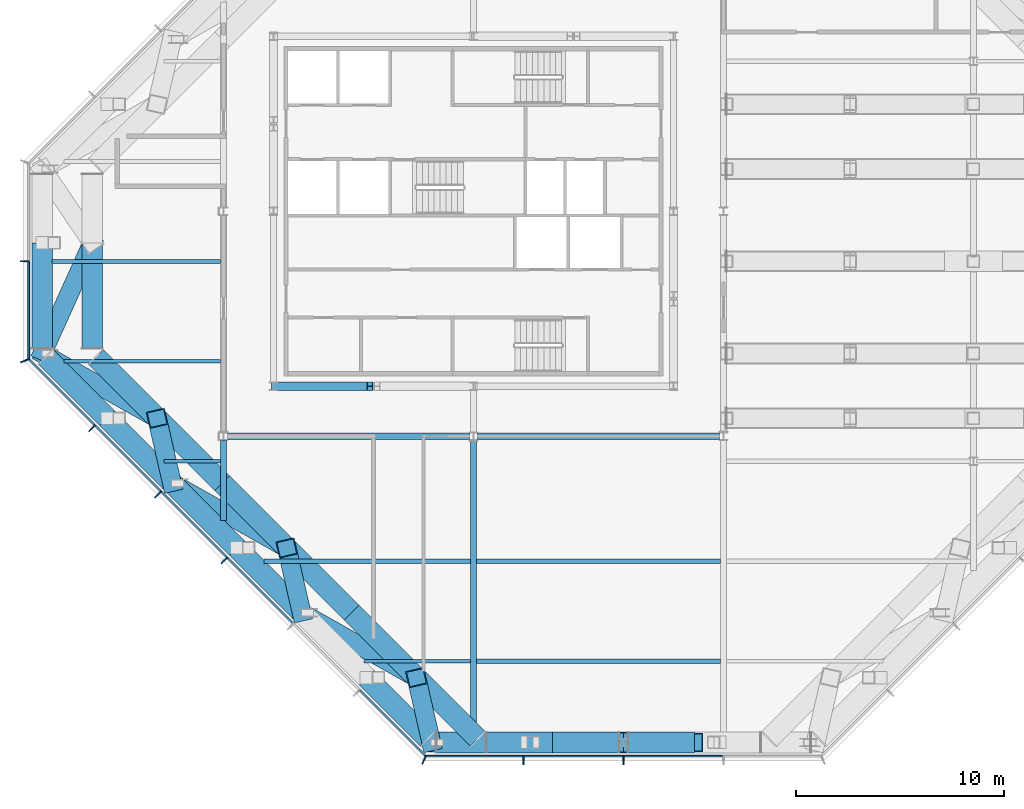
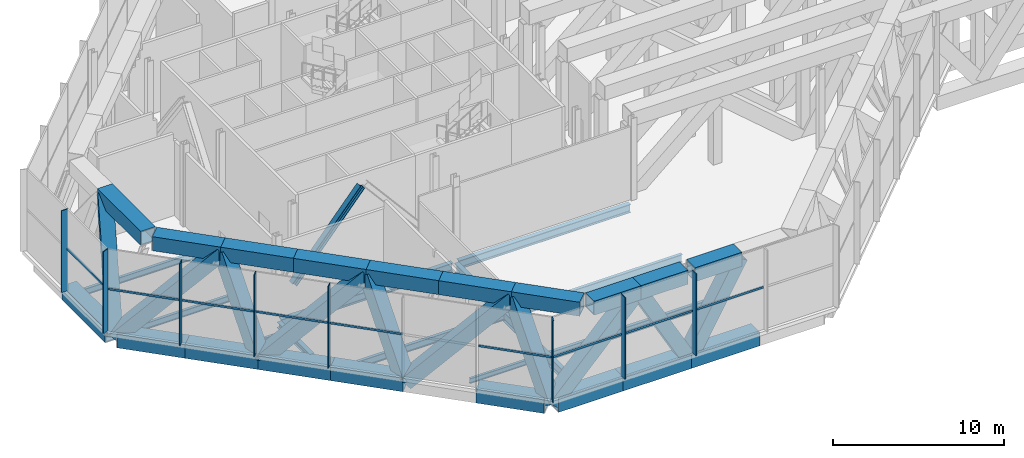
# One storey, part 4 of 18: 40 beams, 18 members, 3 elements without a shape of their own.
"""IFC4 building model written with IfcOpenShell, lengths in metres."""

from ifc_helpers import new_model, si_unit, direction, frame, origin, origin_2d, place, context, subcontext, project, spatial, rectangle, hollow_rectangle, i_section, extrude, material, material_profile, profile_set, type_object, element, aggregate, save


model = new_model("IFC4")

# Units and contexts
model_context = context("Model", 3, precision=1e-05, world=origin(), true_north=direction((0.0, 1.0)))
body_context = subcontext(model_context, "Body", "Model", "MODEL_VIEW")
ifc_project = project(units=[si_unit("LENGTHUNIT", "METRE"), si_unit("AREAUNIT", "SQUARE_METRE"), si_unit("VOLUMEUNIT", "CUBIC_METRE"), si_unit("PLANEANGLEUNIT", "RADIAN"), si_unit("MASSUNIT", "GRAM", prefix="KILO")], contexts=[model_context])

# Site, building, storey
site_placement = place(None, origin())
site = spatial("IfcSite", under=ifc_project, at=site_placement, CompositionType="ELEMENT")
building_placement = place(site_placement, origin())
building = spatial("IfcBuilding", under=site, at=building_placement, Name="Cairn Pilgrim Tower", CompositionType="ELEMENT")
storey_placement = place(building_placement, frame((0.0, 0.0, 261.0)))
storey = spatial("IfcBuildingStorey", under=building, at=storey_placement, Name="L67", CompositionType="ELEMENT", Elevation=261.0)

# Beams
ifc_material_1 = material(Name="Structural steel S460M", Category="steel")
ifc_material_profile_1 = material_profile(ifc_material_1, hollow_rectangle(XDim=1.0, YDim=1.0, WallThickness=0.06005859375, at=origin_2d()), Name="BOX 1000x1000x60")
ifc_profile_set_1 = profile_set([ifc_material_profile_1], Name="Structural steel S460M")
beam_type_1 = type_object("IfcBeamType", Name="BOX 1000x1000x60 CHORD", PredefinedType="USERDEFINED", material=ifc_profile_set_1)
beam_1_placement = place(storey_placement, frame((5.429931640625, -23.10009765625, -0.75), z_axis=(1.0, 0.0, 0.0), x_axis=(0.0, 1.0, 0.0)))
element("IfcBeam", 1, at=beam_1_placement, inside=storey, type_object=beam_type_1, Name="BT67-S-BC1", ObjectType="CHORD", PredefinedType="USERDEFINED", context=body_context, shape_type="SweptSolid", body=[
    extrude(hollow_rectangle(XDim=1.0, YDim=1.0, WallThickness=0.06005859375, at=origin_2d()), origin(), (0.0, 0.0, 1.0), 4.3564453125),
])
beam_2_placement = place(storey_placement, frame((7.829833984375, -23.10009765625, 5.35009765625), z_axis=(1.0, 0.0, 0.0), x_axis=(0.0, 1.0, 0.0)))
element("IfcBeam", 2, at=beam_2_placement, inside=storey, type_object=beam_type_1, Name="BT67-S-TC1", ObjectType="CHORD", PredefinedType="USERDEFINED", context=body_context, shape_type="SweptSolid", body=[
    extrude(hollow_rectangle(XDim=1.0, YDim=1.0, WallThickness=0.06005859375, at=origin_2d()), origin(), (0.0, 0.0, 1.0), 3.156494140625),
])
beam_3_placement = place(storey_placement, frame((9.786376953125, -23.10009765625, -0.75), z_axis=(1.0, 0.0, 0.0), x_axis=(0.0, 1.0, 0.0)))
element("IfcBeam", 3, at=beam_3_placement, inside=storey, type_object=beam_type_1, Name="BT67-S-BC2", ObjectType="CHORD", PredefinedType="USERDEFINED", context=body_context, shape_type="SweptSolid", body=[
    extrude(hollow_rectangle(XDim=1.0, YDim=1.0, WallThickness=0.06005859375, at=origin_2d()), origin(), (0.0, 0.0, 1.0), 4.613525390625),
])
beam_4_placement = place(storey_placement, frame((10.986328125, -23.10009765625, 5.35009765625), z_axis=(1.0, 0.0, 0.0), x_axis=(0.0, 1.0, 0.0)))
element("IfcBeam", 4, at=beam_4_placement, inside=storey, type_object=beam_type_1, Name="BT67-S-TC2", ObjectType="CHORD", PredefinedType="USERDEFINED", context=body_context, shape_type="SweptSolid", body=[
    extrude(hollow_rectangle(XDim=1.0, YDim=1.0, WallThickness=0.06005859375, at=origin_2d()), origin(), (0.0, 0.0, 1.0), 3.174072265625),
])
beam_5_placement = place(storey_placement, frame((14.39990234375, -23.10009765625, -0.75), z_axis=(1.0, 0.0, 0.0), x_axis=(0.0, 1.0, 0.0)))
element("IfcBeam", 5, at=beam_5_placement, inside=storey, type_object=beam_type_1, Name="BT67-S-BC3", ObjectType="CHORD", PredefinedType="USERDEFINED", context=body_context, shape_type="SweptSolid", body=[
    extrude(hollow_rectangle(XDim=1.0, YDim=1.0, WallThickness=0.06005859375, at=origin_2d()), origin(), (0.0, 0.0, 1.0), 4.61376953125),
])
beam_6_placement = place(storey_placement, frame((14.639404296875, -23.10009765625, 5.35009765625), z_axis=(1.0, 0.0, 0.0), x_axis=(0.0, 1.0, 0.0)))
element("IfcBeam", 6, at=beam_6_placement, inside=storey, type_object=beam_type_1, Name="BT67-S-TC3", ObjectType="CHORD", PredefinedType="USERDEFINED", context=body_context, shape_type="SweptSolid", body=[
    extrude(hollow_rectangle(XDim=1.0, YDim=1.0, WallThickness=0.06005859375, at=origin_2d()), origin(), (0.0, 0.0, 1.0), 3.17431640625),
])
for number, where, z_axis, x_axis, name in (
    (7, (-13.5, 0.885498046875, -0.75), (0.0, -1.0, 0.0), (1.0, 0.0, 0.0), "BT67-W-BC2"),
    (8, (-11.10009765625, 0.885498046875, 5.35009765625), (0.0, -1.0, 0.0), (1.0, 0.0, 0.0), "BT67-W-TC2"),
):
    element("IfcBeam", number, at=place(storey_placement, frame(where, z_axis=z_axis, x_axis=x_axis)), inside=storey, type_object=beam_type_1, Name=name, ObjectType="CHORD", PredefinedType="USERDEFINED", context=body_context, shape_type="SweptSolid", body=[
        extrude(hollow_rectangle(XDim=1.0, YDim=1.0, WallThickness=0.06005859375, at=origin_2d()), origin(), (0.0, 0.0, 1.0), 5.0556640625),
    ])
beam_7_placement = place(storey_placement, frame((-13.318115234375, -4.60888671875, -0.75), z_axis=(0.707077323927, -0.707136237219, 0.0), x_axis=(0.707136237219, 0.707077323927, 0.0)))
element("IfcBeam", 9, at=beam_7_placement, inside=storey, type_object=beam_type_1, Name="BT67-SW-BC1", ObjectType="CHORD", PredefinedType="USERDEFINED", context=body_context, shape_type="SweptSolid", body=[
    extrude(hollow_rectangle(XDim=1.0, YDim=1.0, WallThickness=0.06005859375, at=origin_2d()), origin(), (0.0, 0.0, 1.0), 4.14404296875),
])
beam_8_placement = place(storey_placement, frame((-10.918212890625, -4.60888671875, 5.35009765625), z_axis=(0.707106781187, -0.707106781187, 0.0), x_axis=(0.707106781187, 0.707106781187, 0.0)))
element("IfcBeam", 10, at=beam_8_placement, inside=storey, type_object=beam_type_1, Name="BT67-SW-TC1", ObjectType="CHORD", PredefinedType="USERDEFINED", context=body_context, shape_type="SweptSolid", body=[
    extrude(hollow_rectangle(XDim=1.0, YDim=1.0, WallThickness=0.06005859375, at=origin_2d()), origin(), (0.0, 0.0, 1.0), 4.144287109375),
])
for number, where, z_axis, x_axis, name in (
    (11, (-10.387939453125, -7.539306640625, -0.75), (0.707106781187, -0.707106781187, 0.0), (0.707106781187, 0.707106781187, 0.0), "BT67-SW-BC2"),
    (12, (-7.98779296875, -7.539306640625, 5.35009765625), (0.707079045527, -0.707134515759, 0.0), (0.707134515759, 0.707079045527, 0.0), "BT67-SW-TC2"),
):
    element("IfcBeam", number, at=place(storey_placement, frame(where, z_axis=z_axis, x_axis=x_axis)), inside=storey, type_object=beam_type_1, Name=name, ObjectType="CHORD", PredefinedType="USERDEFINED", context=body_context, shape_type="SweptSolid", body=[
        extrude(hollow_rectangle(XDim=1.0, YDim=1.0, WallThickness=0.06005859375, at=origin_2d()), origin(), (0.0, 0.0, 1.0), 4.4013671875),
    ])
for number, where, z_axis, x_axis, name in (
    (13, (-7.275634765625, -10.651611328125, -0.75), (0.707106781187, -0.707106781187, 0.0), (0.707106781187, 0.707106781187, 0.0), "BT67-SW-BC3"),
    (14, (-4.875732421875, -10.651611328125, 5.35009765625), (0.707106781187, -0.707106781187, 0.0), (0.707106781187, 0.707106781187, 0.0), "BT67-SW-TC3"),
    (15, (-4.16357421875, -13.763671875, -0.75), (0.707106781187, -0.707106781187, 0.0), (0.707106781187, 0.707106781187, 0.0), "BT67-SW-BC4"),
    (16, (-1.763671875, -13.763671875, 5.35009765625), (0.707106781187, -0.707106781187, 0.0), (0.707106781187, 0.707106781187, 0.0), "BT67-SW-TC4"),
):
    element("IfcBeam", number, at=place(storey_placement, frame(where, z_axis=z_axis, x_axis=x_axis)), inside=storey, type_object=beam_type_1, Name=name, ObjectType="CHORD", PredefinedType="USERDEFINED", context=body_context, shape_type="SweptSolid", body=[
        extrude(hollow_rectangle(XDim=1.0, YDim=1.0, WallThickness=0.06005859375, at=origin_2d()), origin(), (0.0, 0.0, 1.0), 4.401123046875),
    ])
beam_9_placement = place(storey_placement, frame((1.348388671875, -16.875732421875, 5.35009765625), z_axis=(0.707134515759, -0.707079045527, 0.0), x_axis=(0.707079045527, 0.707134515759, 0.0)))
element("IfcBeam", 17, at=beam_9_placement, inside=storey, type_object=beam_type_1, Name="BT67-SW-TC5", ObjectType="CHORD", PredefinedType="USERDEFINED", context=body_context, shape_type="SweptSolid", body=[
    extrude(hollow_rectangle(XDim=1.0, YDim=1.0, WallThickness=0.06005859375, at=origin_2d()), origin(), (0.0, 0.0, 1.0), 4.4013671875),
])
beam_10_placement = place(storey_placement, frame((2.060791015625, -19.98779296875, -0.75), z_axis=(0.707077323927, -0.707136237219, 0.0), x_axis=(0.707136237219, 0.707077323927, 0.0)))
element("IfcBeam", 18, at=beam_10_placement, inside=storey, type_object=beam_type_1, Name="BT67-SW-BC6", ObjectType="CHORD", PredefinedType="USERDEFINED", context=body_context, shape_type="SweptSolid", body=[
    extrude(hollow_rectangle(XDim=1.0, YDim=1.0, WallThickness=0.06005859375, at=origin_2d()), origin(), (0.0, 0.0, 1.0), 4.14404296875),
])
beam_11_placement = place(storey_placement, frame((4.460693359375, -19.98779296875, 5.35009765625), z_axis=(0.707106781187, -0.707106781187, 0.0), x_axis=(0.707106781187, 0.707106781187, 0.0)))
element("IfcBeam", 19, at=beam_11_placement, inside=storey, type_object=beam_type_1, Name="BT67-SW-TC6", ObjectType="CHORD", PredefinedType="USERDEFINED", context=body_context, shape_type="SweptSolid", body=[
    extrude(hollow_rectangle(XDim=1.0, YDim=1.0, WallThickness=0.06005859375, at=origin_2d()), origin(), (0.0, 0.0, 1.0), 4.144287109375),
])
ifc_material_profile_2 = material_profile(ifc_material_1, hollow_rectangle(XDim=0.89990234375, YDim=0.89990234375, WallThickness=0.050048828125, at=origin_2d()), Name="BOX 900x900x50")
ifc_profile_set_2 = profile_set([ifc_material_profile_2], Name="Structural steel S460M")
beam_type_2 = type_object("IfcBeamType", Name="BOX 900x900x50 DIAGONAL", PredefinedType="USERDEFINED", material=ifc_profile_set_2)
beam_12_placement = place(storey_placement, frame((5.1728515625, -23.10009765625, -0.75), z_axis=(0.689895321041, 0.0, 0.723909142093), x_axis=(0.0, 1.0, 0.0)))
element("IfcBeam", 20, at=beam_12_placement, inside=storey, type_object=beam_type_2, Name="BT67-S-D1", ObjectType="DIAGONAL", PredefinedType="USERDEFINED", context=body_context, shape_type="SweptSolid", body=[
    extrude(hollow_rectangle(XDim=0.89990234375, YDim=0.89990234375, WallThickness=0.050048828125, at=origin_2d()), origin(), (0.0, 0.0, 1.0), 8.426513671875),
])
beam_13_placement = place(storey_placement, frame((10.986328125, -23.10009765625, 5.35009765625), z_axis=(0.488333212582, 0.0, -0.872657248574), x_axis=(0.0, 1.0, 0.0)))
element("IfcBeam", 21, at=beam_13_placement, inside=storey, type_object=beam_type_2, Name="BT67-S-D2", ObjectType="DIAGONAL", PredefinedType="USERDEFINED", context=body_context, shape_type="SweptSolid", body=[
    extrude(hollow_rectangle(XDim=0.89990234375, YDim=0.89990234375, WallThickness=0.050048828125, at=origin_2d()), origin(), (0.0, 0.0, 1.0), 6.990234375),
])
beam_14_placement = place(storey_placement, frame((14.39990234375, -23.10009765625, -0.75), z_axis=(0.488359809006, 0.0, 0.872642364859), x_axis=(0.0, 1.0, 0.0)))
element("IfcBeam", 22, at=beam_14_placement, inside=storey, type_object=beam_type_2, Name="BT67-S-D3", ObjectType="DIAGONAL", PredefinedType="USERDEFINED", context=body_context, shape_type="SweptSolid", body=[
    extrude(hollow_rectangle(XDim=0.89990234375, YDim=0.89990234375, WallThickness=0.050048828125, at=origin_2d()), origin(), (0.0, 0.0, 1.0), 6.990478515625),
])
beam_15_placement = place(storey_placement, frame((-11.10009765625, 0.885498046875, 5.35009765625), z_axis=(-0.284423748024, -0.629638370371, -0.722951349758), x_axis=(0.911332082781, -0.411671999161, 0.0)))
element("IfcBeam", 23, at=beam_15_placement, inside=storey, type_object=beam_type_2, Name="BT67-W-D2", ObjectType="DIAGONAL", PredefinedType="USERDEFINED", context=body_context, shape_type="SweptSolid", body=[
    extrude(hollow_rectangle(XDim=0.89990234375, YDim=0.89990234375, WallThickness=0.050048828125, at=origin_2d()), origin(), (0.0, 0.0, 1.0), 8.437744140625),
])
beam_16_placement = place(storey_placement, frame((-13.5, -4.42724609375, -0.75), z_axis=(0.627033076163, -0.354007911323, 0.693907717292), x_axis=(0.491633993745, 0.870801938557, 0.0)))
element("IfcBeam", 24, at=beam_16_placement, inside=storey, type_object=beam_type_2, Name="BT67-SW-D1", ObjectType="DIAGONAL", PredefinedType="USERDEFINED", context=body_context, shape_type="SweptSolid", body=[
    extrude(hollow_rectangle(XDim=0.89990234375, YDim=0.89990234375, WallThickness=0.050048828125, at=origin_2d()), origin(), (0.0, 0.0, 1.0), 8.791015625),
])
beam_17_placement = place(storey_placement, frame((-7.98779296875, -7.539306640625, 5.35009765625), z_axis=(0.10343447546, -0.452033833791, -0.885983477495), x_axis=(0.974805800501, 0.223055265145, 0.0)))
element("IfcBeam", 25, at=beam_17_placement, inside=storey, type_object=beam_type_2, Name="BT67-SW-D2", ObjectType="DIAGONAL", PredefinedType="USERDEFINED", context=body_context, shape_type="SweptSolid", body=[
    extrude(hollow_rectangle(XDim=0.89990234375, YDim=0.89990234375, WallThickness=0.050048828125, at=origin_2d()), origin(), (0.0, 0.0, 1.0), 6.885009765625),
])
beam_18_placement = place(storey_placement, frame((-7.275634765625, -10.651611328125, -0.75), z_axis=(0.627016222938, -0.354014075997, 0.693919800963), x_axis=(0.491650506042, 0.870792615902, 0.0)))
element("IfcBeam", 26, at=beam_18_placement, inside=storey, type_object=beam_type_2, Name="BT67-SW-D3", ObjectType="DIAGONAL", PredefinedType="USERDEFINED", context=body_context, shape_type="SweptSolid", body=[
    extrude(hollow_rectangle(XDim=0.89990234375, YDim=0.89990234375, WallThickness=0.050048828125, at=origin_2d()), origin(), (0.0, 0.0, 1.0), 8.790771484375),
])
beam_19_placement = place(storey_placement, frame((-1.763671875, -13.763671875, 5.35009765625), z_axis=(0.103436133361, -0.452005619457, -0.885997678493), x_axis=(0.974801995546, 0.223071893073, 0.0)))
element("IfcBeam", 27, at=beam_19_placement, inside=storey, type_object=beam_type_2, Name="BT67-SW-D4", ObjectType="DIAGONAL", PredefinedType="USERDEFINED", context=body_context, shape_type="SweptSolid", body=[
    extrude(hollow_rectangle(XDim=0.89990234375, YDim=0.89990234375, WallThickness=0.050048828125, at=origin_2d()), origin(), (0.0, 0.0, 1.0), 6.885009765625),
])
beam_20_placement = place(storey_placement, frame((-1.051513671875, -16.875732421875, -0.75), z_axis=(0.627033076163, -0.354007911323, 0.693907717292), x_axis=(0.491633993745, 0.870801938557, 0.0)))
element("IfcBeam", 28, at=beam_20_placement, inside=storey, type_object=beam_type_2, Name="BT67-SW-D5", ObjectType="DIAGONAL", PredefinedType="USERDEFINED", context=body_context, shape_type="SweptSolid", body=[
    extrude(hollow_rectangle(XDim=0.89990234375, YDim=0.89990234375, WallThickness=0.050048828125, at=origin_2d()), origin(), (0.0, 0.0, 1.0), 8.791015625),
])
beam_21_placement = place(storey_placement, frame((4.460693359375, -19.98779296875, 5.35009765625), z_axis=(0.10343447546, -0.452033833791, -0.885983477495), x_axis=(0.974805800501, 0.223055265145, 0.0)))
element("IfcBeam", 29, at=beam_21_placement, inside=storey, type_object=beam_type_2, Name="BT67-SW-D6", ObjectType="DIAGONAL", PredefinedType="USERDEFINED", context=body_context, shape_type="SweptSolid", body=[
    extrude(hollow_rectangle(XDim=0.89990234375, YDim=0.89990234375, WallThickness=0.050048828125, at=origin_2d()), origin(), (0.0, 0.0, 1.0), 6.885009765625),
])

# Curtain wall, members
ifc_material_2 = material(Name="Aluminium alloy 6063-T6 bronze anodised with Bronze tinted laminated low-E glass 8+16+8.8", Category="aluminium")
curtain_wall_type = type_object("IfcCurtainWallType", Name="PLANT LOUVRE CURTAIN WALL", PredefinedType="NOTDEFINED", material=ifc_material_2)
curtain_wall_1_placement = place(storey_placement, origin())
curtain_wall_1 = element("IfcCurtainWall", 30, at=curtain_wall_1_placement, inside=storey, type_object=curtain_wall_type, Name="Plant Louvre Curtain Wall S", PredefinedType="NOTDEFINED")
ifc_material_3 = material(Name="Aluminium alloy 6063-T6 bronze anodised", Category="aluminium")
ifc_material_profile_3 = material_profile(ifc_material_3, rectangle(XDim=0.449951171875, YDim=0.06005859375, at=origin_2d()), Name="FIN MULLION 60x450 BRONZE")
ifc_profile_set_3 = profile_set([ifc_material_profile_3], Name="Aluminium alloy 6063-T6 bronze anodised")
member_type_1 = type_object("IfcMemberType", Name="FIN MULLION 60x450 BRONZE", PredefinedType="MULLION", material=ifc_profile_set_3)
member_1_placement = place(storey_placement, frame((4.828857421875, -23.93017578125, 0.0), z_axis=(0.0, 0.0, 1.0), x_axis=(-0.382683432365, -0.923879532511, 0.0)))
member_1 = element("IfcMember", 31, at=member_1_placement, type_object=member_type_1, Name="Fin mullion S1", PredefinedType="MULLION", context=body_context, shape_type="SweptSolid", body=[
    extrude(rectangle(XDim=0.449951171875, YDim=0.06005859375, at=origin_2d()), origin(), (0.0, 0.0, 1.0), 5.85009765625),
])
member_2_placement = place(storey_placement, frame((9.60009765625, -23.945068359375, 0.0), z_axis=(0.0, 0.0, 1.0), x_axis=(0.0, -1.0, 0.0)))
member_2 = element("IfcMember", 32, at=member_2_placement, type_object=member_type_1, Name="Fin mullion S2", PredefinedType="MULLION", context=body_context, shape_type="SweptSolid", body=[
    extrude(rectangle(XDim=0.449951171875, YDim=0.06005859375, at=origin_2d()), origin(), (0.0, 0.0, 1.0), 5.85009765625),
])
member_3_placement = place(storey_placement, frame((14.39990234375, -23.945068359375, 0.0), z_axis=(0.0, 0.0, 1.0), x_axis=(0.0, -1.0, 0.0)))
member_3 = element("IfcMember", 33, at=member_3_placement, type_object=member_type_1, Name="Fin mullion S3", PredefinedType="MULLION", context=body_context, shape_type="SweptSolid", body=[
    extrude(rectangle(XDim=0.449951171875, YDim=0.06005859375, at=origin_2d()), origin(), (0.0, 0.0, 1.0), 5.85009765625),
])

# Curtain wall, member
curtain_wall_2_placement = place(storey_placement, origin())
curtain_wall_2 = element("IfcCurtainWall", 34, at=curtain_wall_2_placement, inside=storey, type_object=curtain_wall_type, Name="Plant Louvre Curtain Wall W", PredefinedType="NOTDEFINED")
member_4_placement = place(storey_placement, frame((-14.344970703125, 0.0, 0.0), z_axis=(0.0, 0.0, 1.0), x_axis=(-1.0, 0.0, 0.0)))
member_4 = element("IfcMember", 35, at=member_4_placement, type_object=member_type_1, Name="Fin mullion W2", PredefinedType="MULLION", context=body_context, shape_type="SweptSolid", body=[
    extrude(rectangle(XDim=0.449951171875, YDim=0.06005859375, at=origin_2d()), origin(), (0.0, 0.0, 1.0), 5.85009765625),
])

# Curtain wall, members
curtain_wall_3_placement = place(storey_placement, origin())
curtain_wall_3 = element("IfcCurtainWall", 36, at=curtain_wall_3_placement, inside=storey, type_object=curtain_wall_type, Name="Plant Louvre Curtain Wall SW", PredefinedType="NOTDEFINED")
member_5_placement = place(storey_placement, frame((-14.330078125, -4.77099609375, 0.0), z_axis=(0.0, 0.0, 1.0), x_axis=(-0.923879532511, -0.382683432365, 0.0)))
member_5 = element("IfcMember", 37, at=member_5_placement, type_object=member_type_1, Name="Fin mullion SW1", PredefinedType="MULLION", context=body_context, shape_type="SweptSolid", body=[
    extrude(rectangle(XDim=0.449951171875, YDim=0.06005859375, at=origin_2d()), origin(), (0.0, 0.0, 1.0), 5.85009765625),
])
member_6_placement = place(storey_placement, frame((-11.1123046875, -8.010009765625, 0.0), z_axis=(0.0, 0.0, 1.0), x_axis=(-0.707106781187, -0.707106781187, 0.0)))
member_6 = element("IfcMember", 38, at=member_6_placement, type_object=member_type_1, Name="Fin mullion SW2", PredefinedType="MULLION", context=body_context, shape_type="SweptSolid", body=[
    extrude(rectangle(XDim=0.449951171875, YDim=0.06005859375, at=origin_2d()), origin(), (0.0, 0.0, 1.0), 5.85009765625),
])
member_7_placement = place(storey_placement, frame((-7.936767578125, -11.185546875, 0.0), z_axis=(0.0, 0.0, 1.0), x_axis=(-0.707106781187, -0.707106781187, 0.0)))
member_7 = element("IfcMember", 39, at=member_7_placement, type_object=member_type_1, Name="Fin mullion SW3", PredefinedType="MULLION", context=body_context, shape_type="SweptSolid", body=[
    extrude(rectangle(XDim=0.449951171875, YDim=0.06005859375, at=origin_2d()), origin(), (0.0, 0.0, 1.0), 5.85009765625),
])
member_8_placement = place(storey_placement, frame((-4.76123046875, -14.361083984375, 0.0), z_axis=(0.0, 0.0, 1.0), x_axis=(-0.707106781187, -0.707106781187, 0.0)))
member_8 = element("IfcMember", 40, at=member_8_placement, type_object=member_type_1, Name="Fin mullion SW4", PredefinedType="MULLION", context=body_context, shape_type="SweptSolid", body=[
    extrude(rectangle(XDim=0.449951171875, YDim=0.06005859375, at=origin_2d()), origin(), (0.0, 0.0, 1.0), 5.85009765625),
])

# Member
ifc_material_4 = material(Name="Structural steel S355J2", Category="steel")
ifc_material_profile_4 = material_profile(ifc_material_4, i_section(OverallWidth=0.39794921875, OverallDepth=0.386962890625, WebThickness=0.02099609375, FlangeThickness=0.033203125, FilletRadius=0.014892578125, at=origin_2d()), Name="HD 400x262")
ifc_profile_set_4 = profile_set([ifc_material_profile_4], Name="Structural steel S355J2")
member_type_2 = type_object("IfcMemberType", Name="HD 400x262 BRACE", PredefinedType="BRACE", material=ifc_profile_set_4)
member_9_placement = place(storey_placement, frame((-2.360107421875, -6.0, 0.0), z_axis=(0.647452451066, 0.0, 0.762105848034), x_axis=(0.0, 1.0, 0.0)))
element("IfcMember", 41, at=member_9_placement, inside=storey, type_object=member_type_2, Name="KB-1A", PredefinedType="BRACE", context=body_context, shape_type="SweptSolid", body=[
    extrude(i_section(OverallWidth=0.39794921875, OverallDepth=0.386962890625, WebThickness=0.02099609375, FlangeThickness=0.033203125, FilletRadius=0.014892578125, at=origin_2d()), origin(), (0.0, 0.0, 1.0), 7.088623046875),
])

# Beams
ifc_material_profile_5 = material_profile(ifc_material_4, i_section(OverallWidth=0.300048828125, OverallDepth=0.39990234375, WebThickness=0.013427734375, FlangeThickness=0.02392578125, FilletRadius=0.027099609375, at=origin_2d()), Name="HEB 400")
ifc_profile_set_5 = profile_set([ifc_material_profile_5], Name="Structural steel S355J2")
beam_type_3 = type_object("IfcBeamType", Name="HEB 400 GIRDER", PredefinedType="BEAM", material=ifc_profile_set_5)
beam_22_placement = place(storey_placement, frame((-4.800048828125, -12.4501953125, -0.449951171875), z_axis=(0.0, 1.0, 0.0), x_axis=(-1.0, 0.0, 0.0)))
element("IfcBeam", 42, at=beam_22_placement, inside=storey, type_object=beam_type_3, Name="PG2-1", PredefinedType="BEAM", context=body_context, shape_type="SweptSolid", body=[
    extrude(i_section(OverallWidth=0.300048828125, OverallDepth=0.39990234375, WebThickness=0.013427734375, FlangeThickness=0.02392578125, FilletRadius=0.027099609375, at=origin_2d()), origin(), (0.0, 0.0, 1.0), 3.853271484375),
])
ifc_material_profile_6 = material_profile(ifc_material_4, i_section(OverallWidth=0.300048828125, OverallDepth=0.60009765625, WebThickness=0.015380859375, FlangeThickness=0.030029296875, FilletRadius=0.027099609375, at=origin_2d()), Name="HEB 600")
ifc_profile_set_6 = profile_set([ifc_material_profile_6], Name="Structural steel S355J2")
beam_type_4 = type_object("IfcBeamType", Name="HEB 600 INNER GIRDER", PredefinedType="BEAM", material=ifc_profile_set_6)
for number, where, z_axis, x_axis, name in (
    (43, (-4.60302734375, -8.39990234375, -0.550048828125), (1.0, 0.0, 0.0), (0.0, 1.0, 0.0), "IG1-1"),
    (44, (7.39697265625, -8.39990234375, -0.550048828125), (1.0, 0.0, 0.0), (0.0, 1.0, 0.0), "IG1-2"),
):
    element("IfcBeam", number, at=place(storey_placement, frame(where, z_axis=z_axis, x_axis=x_axis)), inside=storey, type_object=beam_type_4, Name=name, PredefinedType="BEAM", context=body_context, shape_type="SweptSolid", body=[
        extrude(i_section(OverallWidth=0.300048828125, OverallDepth=0.60009765625, WebThickness=0.015380859375, FlangeThickness=0.030029296875, FilletRadius=0.027099609375, at=origin_2d()), origin(), (0.0, 0.0, 1.0), 11.60595703125),
    ])
ifc_material_profile_7 = material_profile(ifc_material_4, i_section(OverallWidth=0.300048828125, OverallDepth=0.699951171875, WebThickness=0.01708984375, FlangeThickness=0.031982421875, FilletRadius=0.027099609375, at=origin_2d()), Name="HEB 700")
ifc_profile_set_7 = profile_set([ifc_material_profile_7], Name="Structural steel S355J2")
beam_type_5 = type_object("IfcBeamType", Name="HEB 700 GIRDER", PredefinedType="BEAM", material=ifc_profile_set_7)
beam_23_placement = place(storey_placement, frame((7.199951171875, -22.6298828125, -0.60009765625), z_axis=(0.0, 1.0, 0.0), x_axis=(-1.0, 0.0, 0.0)))
element("IfcBeam", 45, at=beam_23_placement, inside=storey, type_object=beam_type_5, Name="PG3-1", PredefinedType="BEAM", context=body_context, shape_type="SweptSolid", body=[
    extrude(i_section(OverallWidth=0.300048828125, OverallDepth=0.699951171875, WebThickness=0.01708984375, FlangeThickness=0.031982421875, FilletRadius=0.027099609375, at=origin_2d()), origin(), (0.0, 0.0, 1.0), 14.032958984375),
])
ifc_material_profile_8 = material_profile(ifc_material_4, i_section(OverallWidth=0.169921875, OverallDepth=0.360107421875, WebThickness=0.008056640625, FlangeThickness=0.0126953125, FilletRadius=0.01806640625, at=origin_2d()), Name="IPE 360")
ifc_profile_set_8 = profile_set([ifc_material_profile_8], Name="Structural steel S355J2")
beam_type_6 = type_object("IfcBeamType", Name="IPE 360 SECONDARY BEAM", PredefinedType="JOIST", material=ifc_profile_set_8)
beam_24_placement = place(storey_placement, frame((1.949951171875, -19.199951171875, -0.429931640625), z_axis=(1.0, 0.0, 0.0), x_axis=(0.0, 1.0, 0.0)))
element("IfcBeam", 46, at=beam_24_placement, inside=storey, type_object=beam_type_6, Name="SB1-1", PredefinedType="JOIST", context=body_context, shape_type="SweptSolid", body=[
    extrude(i_section(OverallWidth=0.169921875, OverallDepth=0.360107421875, WebThickness=0.008056640625, FlangeThickness=0.0126953125, FilletRadius=0.01806640625, at=origin_2d()), origin(), (0.0, 0.0, 1.0), 5.10009765625),
])
beam_25_placement = place(storey_placement, frame((-7.650146484375, -9.60009765625, -0.429931640625), z_axis=(1.0, 0.0, 0.0), x_axis=(0.0, 1.0, 0.0)))
element("IfcBeam", 47, at=beam_25_placement, inside=storey, type_object=beam_type_6, Name="SB3-1", PredefinedType="JOIST", context=body_context, shape_type="SweptSolid", body=[
    extrude(i_section(OverallWidth=0.169921875, OverallDepth=0.360107421875, WebThickness=0.008056640625, FlangeThickness=0.0126953125, FilletRadius=0.01806640625, at=origin_2d()), origin(), (0.0, 0.0, 1.0), 2.7001953125),
])
ifc_material_profile_9 = material_profile(ifc_material_4, i_section(OverallWidth=0.18994140625, OverallDepth=0.449951171875, WebThickness=0.009521484375, FlangeThickness=0.0146484375, FilletRadius=0.02099609375, at=origin_2d()), Name="IPE 450")
ifc_profile_set_9 = profile_set([ifc_material_profile_9], Name="Structural steel S355J2")
beam_type_7 = type_object("IfcBeamType", Name="IPE 450 SECONDARY BEAM", PredefinedType="JOIST", material=ifc_profile_set_9)
beam_26_placement = place(storey_placement, frame((-12.4501953125, -4.800048828125, -0.47509765625), z_axis=(1.0, 0.0, 0.0), x_axis=(0.0, 1.0, 0.0)))
element("IfcBeam", 48, at=beam_26_placement, inside=storey, type_object=beam_type_7, Name="SB4-1", PredefinedType="JOIST", context=body_context, shape_type="SweptSolid", body=[
    extrude(i_section(OverallWidth=0.18994140625, OverallDepth=0.449951171875, WebThickness=0.009521484375, FlangeThickness=0.0146484375, FilletRadius=0.02099609375, at=origin_2d()), origin(), (0.0, 0.0, 1.0), 7.500244140625),
])
beam_27_placement = place(storey_placement, frame((-13.030029296875, 0.0, -0.47509765625), z_axis=(1.0, 0.0, 0.0), x_axis=(0.0, 1.0, 0.0)))
element("IfcBeam", 49, at=beam_27_placement, inside=storey, type_object=beam_type_7, Name="SB5-1", PredefinedType="JOIST", context=body_context, shape_type="SweptSolid", body=[
    extrude(i_section(OverallWidth=0.18994140625, OverallDepth=0.449951171875, WebThickness=0.009521484375, FlangeThickness=0.0146484375, FilletRadius=0.02099609375, at=origin_2d()), origin(), (0.0, 0.0, 1.0), 8.080078125),
])
ifc_material_profile_10 = material_profile(ifc_material_4, i_section(OverallWidth=0.199951171875, OverallDepth=0.5, WebThickness=0.01025390625, FlangeThickness=0.01611328125, FilletRadius=0.02099609375, at=origin_2d()), Name="IPE 500")
ifc_profile_set_10 = profile_set([ifc_material_profile_10], Name="Structural steel S355J2")
beam_type_8 = type_object("IfcBeamType", Name="IPE 500 SECONDARY BEAM", PredefinedType="JOIST", material=ifc_profile_set_10)
beam_28_placement = place(storey_placement, frame((-2.85009765625, -14.39990234375, -0.5), z_axis=(1.0, 0.0, 0.0), x_axis=(0.0, 1.0, 0.0)))
element("IfcBeam", 50, at=beam_28_placement, inside=storey, type_object=beam_type_8, Name="SB2-1", PredefinedType="JOIST", context=body_context, shape_type="SweptSolid", body=[
    extrude(i_section(OverallWidth=0.199951171875, OverallDepth=0.5, WebThickness=0.01025390625, FlangeThickness=0.01611328125, FilletRadius=0.02099609375, at=origin_2d()), origin(), (0.0, 0.0, 1.0), 9.900146484375),
])
ifc_material_profile_11 = material_profile(ifc_material_4, i_section(OverallWidth=0.2099609375, OverallDepth=0.550048828125, WebThickness=0.010986328125, FlangeThickness=0.01708984375, FilletRadius=0.02392578125, at=origin_2d()), Name="IPE 550")
ifc_profile_set_11 = profile_set([ifc_material_profile_11], Name="Structural steel S355J2")
beam_type_9 = type_object("IfcBeamType", Name="IPE 550 SECONDARY BEAM", PredefinedType="JOIST", material=ifc_profile_set_11)
for number, where, z_axis, x_axis, name in (
    (51, (7.35009765625, -19.199951171875, -0.52490234375), (1.0, 0.0, 0.0), (0.0, 1.0, 0.0), "SB1-2"),
    (52, (7.35009765625, -14.39990234375, -0.52490234375), (1.0, 0.0, 0.0), (0.0, 1.0, 0.0), "SB2-2"),
):
    element("IfcBeam", number, at=place(storey_placement, frame(where, z_axis=z_axis, x_axis=x_axis)), inside=storey, type_object=beam_type_9, Name=name, PredefinedType="JOIST", context=body_context, shape_type="SweptSolid", body=[
        extrude(i_section(OverallWidth=0.2099609375, OverallDepth=0.550048828125, WebThickness=0.010986328125, FlangeThickness=0.01708984375, FilletRadius=0.02392578125, at=origin_2d()), origin(), (0.0, 0.0, 1.0), 11.699951171875),
    ])

# Member
ifc_material_profile_12 = material_profile(ifc_material_3, rectangle(XDim=0.080078125, YDim=0.14990234375, at=origin_2d()), Name="TRANSOM 80x150 BRONZE")
ifc_profile_set_12 = profile_set([ifc_material_profile_12], Name="Aluminium alloy 6063-T6 bronze anodised")
member_type_3 = type_object("IfcMemberType", Name="TRANSOM 80x150 BRONZE", PredefinedType="USERDEFINED", material=ifc_profile_set_12)
member_10_placement = place(storey_placement, frame((4.943603515625, -23.75, 3.0), z_axis=(1.0, 0.0, 0.0), x_axis=(0.0, 1.0, 0.0)))
member_10 = element("IfcMember", 53, at=member_10_placement, type_object=member_type_3, Name="Transom S1", ObjectType="TRANSOM", PredefinedType="USERDEFINED", context=body_context, shape_type="SweptSolid", body=[
    extrude(rectangle(XDim=0.080078125, YDim=0.14990234375, at=origin_2d()), origin(), (0.0, 0.0, 1.0), 4.62646484375),
])

member_11_placement = place(storey_placement, frame((9.6298828125, -23.75, 3.0), z_axis=(1.0, 0.0, 0.0), x_axis=(0.0, 1.0, 0.0)))
member_11 = element("IfcMember", 54, at=member_11_placement, type_object=member_type_3, Name="Transom S2", ObjectType="TRANSOM", PredefinedType="USERDEFINED", context=body_context, shape_type="SweptSolid", body=[
    extrude(rectangle(XDim=0.080078125, YDim=0.14990234375, at=origin_2d()), origin(), (0.0, 0.0, 1.0), 4.740234375),
])

member_12_placement = place(storey_placement, frame((14.429931640625, -23.75, 3.0), z_axis=(1.0, 0.0, 0.0), x_axis=(0.0, 1.0, 0.0)))
member_12 = element("IfcMember", 55, at=member_12_placement, type_object=member_type_3, Name="Transom S3", ObjectType="TRANSOM", PredefinedType="USERDEFINED", context=body_context, shape_type="SweptSolid", body=[
    extrude(rectangle(XDim=0.080078125, YDim=0.14990234375, at=origin_2d()), origin(), (0.0, 0.0, 1.0), 4.739990234375),
])

aggregate(curtain_wall_1, [member_1, member_2, member_3, member_10, member_11, member_12])

member_13_placement = place(storey_placement, frame((-14.14990234375, -0.030029296875, 3.0), z_axis=(0.0, -1.0, 0.0), x_axis=(1.0, 0.0, 0.0)))
member_13 = element("IfcMember", 56, at=member_13_placement, type_object=member_type_3, Name="Transom W2", ObjectType="TRANSOM", PredefinedType="USERDEFINED", context=body_context, shape_type="SweptSolid", body=[
    extrude(rectangle(XDim=0.080078125, YDim=0.14990234375, at=origin_2d()), origin(), (0.0, 0.0, 1.0), 4.62646484375),
])

aggregate(curtain_wall_2, [member_4, member_13])

member_14_placement = place(storey_placement, frame((-14.121826171875, -4.724609375, 3.0), z_axis=(0.707106781187, -0.707106781187, 0.0), x_axis=(0.707106781187, 0.707106781187, 0.0)))
member_14 = element("IfcMember", 57, at=member_14_placement, type_object=member_type_3, Name="Transom SW1", ObjectType="TRANSOM", PredefinedType="USERDEFINED", context=body_context, shape_type="SweptSolid", body=[
    extrude(rectangle(XDim=0.080078125, YDim=0.14990234375, at=origin_2d()), origin(), (0.0, 0.0, 1.0), 4.421142578125),
])

member_15_placement = place(storey_placement, frame((-10.953125, -7.893310546875, 3.0), z_axis=(0.707106781187, -0.707106781187, 0.0), x_axis=(0.707106781187, 0.707106781187, 0.0)))
member_15 = element("IfcMember", 58, at=member_15_placement, type_object=member_type_3, Name="Transom SW2", ObjectType="TRANSOM", PredefinedType="USERDEFINED", context=body_context, shape_type="SweptSolid", body=[
    extrude(rectangle(XDim=0.080078125, YDim=0.14990234375, at=origin_2d()), origin(), (0.0, 0.0, 1.0), 4.430908203125),
])

member_16_placement = place(storey_placement, frame((-7.777587890625, -11.06884765625, 3.0), z_axis=(0.707106781187, -0.707106781187, 0.0), x_axis=(0.707106781187, 0.707106781187, 0.0)))
member_16 = element("IfcMember", 59, at=member_16_placement, type_object=member_type_3, Name="Transom SW3", ObjectType="TRANSOM", PredefinedType="USERDEFINED", context=body_context, shape_type="SweptSolid", body=[
    extrude(rectangle(XDim=0.080078125, YDim=0.14990234375, at=origin_2d()), origin(), (0.0, 0.0, 1.0), 4.430908203125),
])

member_17_placement = place(storey_placement, frame((-4.60205078125, -14.244384765625, 3.0), z_axis=(0.707106781187, -0.707106781187, 0.0), x_axis=(0.707106781187, 0.707106781187, 0.0)))
member_17 = element("IfcMember", 60, at=member_17_placement, type_object=member_type_3, Name="Transom SW4", ObjectType="TRANSOM", PredefinedType="USERDEFINED", context=body_context, shape_type="SweptSolid", body=[
    extrude(rectangle(XDim=0.080078125, YDim=0.14990234375, at=origin_2d()), origin(), (0.0, 0.0, 1.0), 4.43115234375),
])

member_18_placement = place(storey_placement, frame((1.749267578125, -20.595703125, 3.0), z_axis=(0.707106781187, -0.707106781187, 0.0), x_axis=(0.707106781187, 0.707106781187, 0.0)))
member_18 = element("IfcMember", 61, at=member_18_placement, type_object=member_type_3, Name="Transom SW6", ObjectType="TRANSOM", PredefinedType="USERDEFINED", context=body_context, shape_type="SweptSolid", body=[
    extrude(rectangle(XDim=0.080078125, YDim=0.14990234375, at=origin_2d()), origin(), (0.0, 0.0, 1.0), 4.4208984375),
])

aggregate(curtain_wall_3, [member_5, member_6, member_7, member_8, member_14, member_15, member_16, member_17, member_18])

save(model, "model.ifc")
